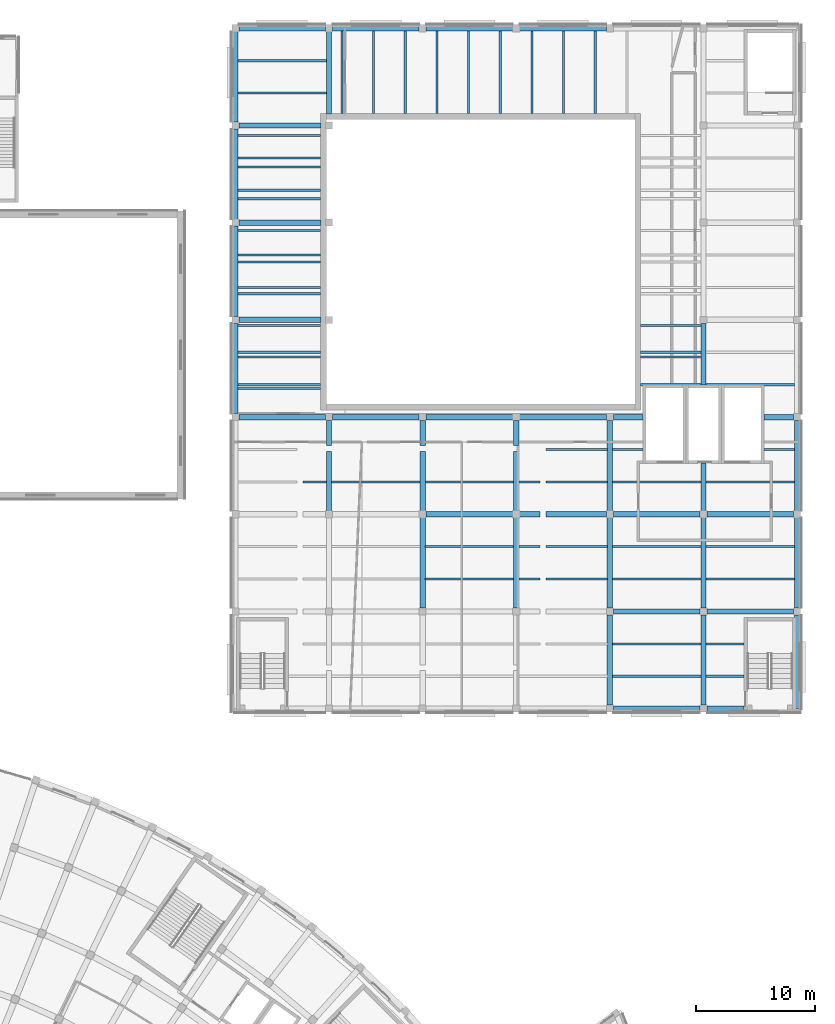
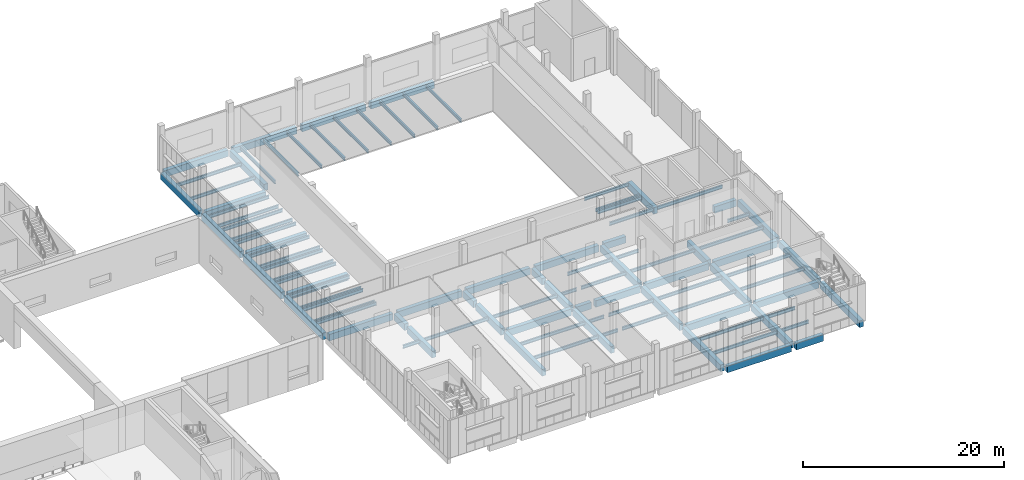
# One storey, part 21 of 87: 100 beams.
"""IFC4 building model written with IfcOpenShell, lengths in metres."""

import ifcopenshell
import ifcopenshell.guid

model = None  # the IFC model being written
_history = None  # IfcOwnerHistory: only IFC2X3 demands one
_inside = {}  # id of a spatial element -> (the spatial element, [elements in it])
_under = {}  # id of a project, library or spatial element -> (it, [spatial elements below it])
_declared = {}  # id of a project -> (the project, [libraries it declares])
_typed = {}  # id of a type object -> (the type object, [elements of that type])
_made_of = {}  # id of a material, layer set ... -> (it, [elements and type objects made of it])


def new_model(schema):
    """Start an empty IFC model of exactly this schema.

    Asked for "IFC4X3", IfcOpenShell would pick the latest addendum, in which some entities
    have other attributes; the version numbers below select the first issue.
    IFC2X3 requires an IfcOwnerHistory on every rooted entity: one is made here for all.
    """
    global model, _history
    if schema == "IFC4X3":
        model = ifcopenshell.file(schema_version=(4, 3, 0, 0))
    else:
        model = ifcopenshell.file(schema=schema)
    _inside.clear()
    _under.clear()
    _declared.clear()
    _typed.clear()
    _made_of.clear()
    _history = None
    if model.schema == "IFC2X3":
        org = make("IfcOrganization", Name="unknown")
        user = make(
            "IfcPersonAndOrganization",
            ThePerson=make("IfcPerson", FamilyName="unknown"),
            TheOrganization=org,
        )
        app = make(
            "IfcApplication",
            ApplicationDeveloper=org,
            Version="unknown",
            ApplicationFullName="unknown",
            ApplicationIdentifier="unknown",
        )
        _history = make(
            "IfcOwnerHistory",
            OwningUser=user,
            OwningApplication=app,
            ChangeAction="ADDED",
            CreationDate=0,
        )
    return model


def make(cls, **values):
    """One entity of the class cls with the attributes given. An attribute that is None is left unset."""
    return model.create_entity(
        cls, **{name: value for name, value in values.items() if value is not None}
    )


def rooted(cls, **values):
    """An entity with a GlobalId (a new one), such as an element, a storey or a relation."""
    return make(cls, GlobalId=ifcopenshell.guid.new(), OwnerHistory=_history, **values)


def si_unit(unit_type, name, prefix=None):
    """IfcSIUnit, for example si_unit("LENGTHUNIT", "METRE", prefix="MILLI")."""
    return make("IfcSIUnit", UnitType=unit_type, Prefix=prefix, Name=name)


def assignment(units):
    """IfcUnitAssignment: the units of a project."""
    return None if units is None else make("IfcUnitAssignment", Units=units)


def point(xyz):
    """IfcCartesianPoint."""
    return None if xyz is None else make("IfcCartesianPoint", Coordinates=xyz)


def direction(xyz):
    """IfcDirection."""
    return None if xyz is None else make("IfcDirection", DirectionRatios=xyz)


def frame(location, z_axis=None, x_axis=None):
    """IfcAxis2Placement3D, a coordinate frame: its origin and axes. An axis left out is left unset."""
    return make(
        "IfcAxis2Placement3D",
        Location=point(location),
        Axis=direction(z_axis),
        RefDirection=direction(x_axis),
    )


def frame_2d(location, x_axis=None):
    """IfcAxis2Placement2D, a coordinate frame in the plane: its origin and x axis."""
    return make(
        "IfcAxis2Placement2D", Location=point(location), RefDirection=direction(x_axis)
    )


def origin():
    """The frame at (0, 0, 0) with its axes left unset."""
    return frame((0.0, 0.0, 0.0))


def origin_2d():
    """The frame at (0, 0) in the plane with its x axis left unset."""
    return frame_2d((0.0, 0.0))


def place(relative_to, where):
    """IfcLocalPlacement: puts the frame where relative to a parent placement (None: the world)."""
    return make(
        "IfcLocalPlacement", PlacementRelTo=relative_to, RelativePlacement=where
    )


def context(
    kind, dimensions, precision=None, world=None, true_north=None, identifier=None
):
    """IfcGeometricRepresentationContext, for example the 3D "Model" context."""
    return make(
        "IfcGeometricRepresentationContext",
        ContextIdentifier=identifier,
        ContextType=kind,
        CoordinateSpaceDimension=dimensions,
        Precision=precision,
        WorldCoordinateSystem=world,
        TrueNorth=true_north,
    )


def subcontext(parent, identifier, kind, view, scale=None):
    """IfcGeometricRepresentationSubContext, for example "Body" below "Model"."""
    return make(
        "IfcGeometricRepresentationSubContext",
        ContextIdentifier=identifier,
        ContextType=kind,
        ParentContext=parent,
        TargetScale=scale,
        TargetView=view,
    )


def project(units=None, contexts=None):
    """IfcProject with its units and contexts."""
    return rooted(
        "IfcProject",
        Name="project",
        RepresentationContexts=contexts,
        UnitsInContext=assignment(units),
    )


def spatial(cls, under=None, at=None, **own):
    """A site, building, storey or space (cls), placed at a placement, below another one or the project."""
    s = rooted(cls, ObjectPlacement=at, **own)
    if under is not None:
        _under.setdefault(under.id(), (under, []))[1].append(s)
    return s


def profile(cls, at=None, kind="AREA", **sizes):
    """A parametric profile (cls). Its sizes go by their IFC names, for example OverallWidth=200.0."""
    return make(cls, ProfileType=kind, Position=at, **sizes)


def rectangle(**sizes):
    """IfcRectangleProfileDef."""
    return profile("IfcRectangleProfileDef", **sizes)


def i_section(**sizes):
    """IfcIShapeProfileDef."""
    return profile("IfcIShapeProfileDef", **sizes)


def extrude(swept, where, along, depth):
    """IfcExtrudedAreaSolid: the profile swept, set in the frame where, extruded along a direction by depth."""
    return make(
        "IfcExtrudedAreaSolid",
        SweptArea=swept,
        Position=where,
        ExtrudedDirection=direction(along),
        Depth=depth,
    )


def shape(context_of_items, identifier, shape_type, items):
    """IfcShapeRepresentation: the items that make up one representation, for example the "Body"."""
    return make(
        "IfcShapeRepresentation",
        ContextOfItems=context_of_items,
        RepresentationIdentifier=identifier,
        RepresentationType=shape_type,
        Items=items,
    )


def material(Name=None, Category=None):
    """IfcMaterial."""
    return make("IfcMaterial", Name=Name, Category=Category)


def material_profile(
    of_material, cross_section, Name=None, Category=None, Priority=None
):
    """IfcMaterialProfile: a cross section and its material."""
    return make(
        "IfcMaterialProfile",
        Name=Name,
        Material=of_material,
        Profile=cross_section,
        Priority=Priority,
        Category=Category,
    )


def profile_set(profiles, Name=None, composite=None):
    """IfcMaterialProfileSet."""
    return make(
        "IfcMaterialProfileSet",
        Name=Name,
        MaterialProfiles=profiles,
        CompositeProfile=composite,
    )


def made_of(thing, what):
    """Note that an element or type object is made of a material, layer set ...; save() writes the relation."""
    if what is not None:
        _made_of.setdefault(what.id(), (what, []))[1].append(thing)
    return thing


def type_object(cls, material=None, **own):
    """A type object (cls), such as IfcWallType, which elements share."""
    return made_of(rooted(cls, **own), material)


def element(
    cls,
    number,
    at=None,
    inside=None,
    cuts=None,
    type_object=None,
    material=None,
    context=None,
    identifier="Body",
    shape_type=None,
    held_by="IfcProductDefinitionShape",
    body=None,
    shapes=None,
    **own,
):
    """One element of the class cls, such as IfcWall. Its Tag is "e" and its number.

    at: its placement. inside: the storey or other place that contains it. cuts: it is an
    opening in that element (IfcRelVoidsElement). A single representation is given by context,
    identifier, shape_type and body (its items); several are given by shapes. held_by: the class
    of the entity that holds the representations. save() writes the other relations.
    """
    e = rooted(cls, Tag="e%d" % number, ObjectPlacement=at, **own)
    if body is not None:
        shapes = [shape(context, identifier, shape_type, body)]
    if shapes is not None:
        e.Representation = make(held_by, Representations=shapes)
    if inside is not None:
        _inside.setdefault(inside.id(), (inside, []))[1].append(e)
    if cuts is not None:
        rooted(
            "IfcRelVoidsElement", RelatingBuildingElement=cuts, RelatedOpeningElement=e
        )
    if type_object is not None:
        _typed.setdefault(type_object.id(), (type_object, []))[1].append(e)
    return made_of(e, material)


def aggregate(whole, parts):
    """IfcRelAggregates: a whole, such as a stair, and the parts it consists of."""
    return rooted("IfcRelAggregates", RelatingObject=whole, RelatedObjects=parts)


def save(model, path):
    """Write the relations noted so far, then the file.

    IfcRelAggregates (storeys below a building ...), IfcRelContainedInSpatialStructure (elements
    in a storey), IfcRelDefinesByType, IfcRelAssociatesMaterial and IfcRelDeclares: one each for
    every whole, place, type object, material and project.
    """
    for whole, parts in _under.values():
        aggregate(whole, parts)
    for where, things in _inside.values():
        rooted(
            "IfcRelContainedInSpatialStructure",
            RelatedElements=things,
            RelatingStructure=where,
        )
    for kind, things in _typed.values():
        rooted("IfcRelDefinesByType", RelatedObjects=things, RelatingType=kind)
    for what, things in _made_of.values():
        rooted("IfcRelAssociatesMaterial", RelatedObjects=things, RelatingMaterial=what)
    for by, libraries in _declared.values():
        rooted("IfcRelDeclares", RelatingContext=by, RelatedDefinitions=libraries)
    model.write(path)


model = new_model("IFC4")

# Units and contexts
model_context = context("Model", 3, precision=1e-05, world=origin(), true_north=direction((0.0, 1.0)))
body_context = subcontext(model_context, "Body", "Model", "MODEL_VIEW")
ifc_project = project(units=[si_unit("LENGTHUNIT", "METRE"), si_unit("AREAUNIT", "SQUARE_METRE"), si_unit("VOLUMEUNIT", "CUBIC_METRE"), si_unit("PLANEANGLEUNIT", "RADIAN"), si_unit("MASSUNIT", "GRAM", prefix="KILO")], contexts=[model_context])

# Site, building, storey
site_placement = place(None, origin())
site = spatial("IfcSite", under=ifc_project, at=site_placement, CompositionType="ELEMENT")
building_placement = place(site_placement, origin())
building = spatial("IfcBuilding", under=site, at=building_placement, Name="Lunette Opera House", CompositionType="ELEMENT")
storey_placement = place(building_placement, frame((0.0, 0.0, 11.5)))
storey = spatial("IfcBuildingStorey", under=building, at=storey_placement, Name="L02", CompositionType="ELEMENT", Elevation=11.5)

# Beams
ifc_material_1 = material(Name="Concrete C35/45", Category="concrete")
ifc_material_profile_1 = material_profile(ifc_material_1, rectangle(XDim=0.449951171875, YDim=0.800048828125, at=origin_2d()), Name="RC BEAM 450X800")
ifc_profile_set_1 = profile_set([ifc_material_profile_1], Name="Concrete C35/45")
beam_type_1 = type_object("IfcBeamType", Name="RC BEAM 450X800", PredefinedType="BEAM", material=ifc_profile_set_1)
for number, where, z_axis, x_axis, name in (
    (1, (136.300048828125, 103.18994140625, -0.550048828125), (0.0, 1.0, 0.0), (-1.0, 0.0, 0.0), "beam-WW-L02-L02-GY03"),
    (2, (136.300048828125, 111.389892578125, -0.550048828125), (0.0, 1.0, 0.0), (-1.0, 0.0, 0.0), "beam-WW-L02-L02-GY04"),
):
    element("IfcBeam", number, at=place(storey_placement, frame(where, z_axis=z_axis, x_axis=x_axis)), inside=storey, type_object=beam_type_1, Name=name, PredefinedType="BEAM", context=body_context, shape_type="SweptSolid", body=[
        extrude(rectangle(XDim=0.449951171875, YDim=0.800048828125, at=origin_2d()), origin(), (0.0, 0.0, 1.0), 7.6201171875),
    ])
for number, where, z_axis, x_axis, name in (
    (3, (136.300048828125, 119.590087890625, -0.550048828125), (0.0, 1.0, 0.0), (-1.0, 0.0, 0.0), "beam-WW-L02-L02-GY05"),
    (4, (136.300048828125, 127.7900390625, -0.550048828125), (0.0, 1.0, 0.0), (-1.0, 0.0, 0.0), "beam-WW-L02-L02-GY06"),
):
    element("IfcBeam", number, at=place(storey_placement, frame(where, z_axis=z_axis, x_axis=x_axis)), inside=storey, type_object=beam_type_1, Name=name, PredefinedType="BEAM", context=body_context, shape_type="SweptSolid", body=[
        extrude(rectangle(XDim=0.449951171875, YDim=0.800048828125, at=origin_2d()), origin(), (0.0, 0.0, 1.0), 7.619873046875),
    ])
beam_1_placement = place(storey_placement, frame((144.199951171875, 94.989990234375, -0.550048828125), z_axis=(0.0, 1.0, 0.0), x_axis=(-1.0, 0.0, 0.0)))
element("IfcBeam", 5, at=beam_1_placement, inside=storey, type_object=beam_type_1, Name="beam-WW-L02-L02-GY12", PredefinedType="BEAM", context=body_context, shape_type="SweptSolid", body=[
    extrude(rectangle(XDim=0.449951171875, YDim=0.800048828125, at=origin_2d()), origin(), (0.0, 0.0, 1.0), 5.02001953125),
])
beam_2_placement = place(storey_placement, frame((144.199951171875, 100.489990234375, -0.550048828125), z_axis=(0.0, 1.0, 0.0), x_axis=(-1.0, 0.0, 0.0)))
element("IfcBeam", 6, at=beam_2_placement, inside=storey, type_object=beam_type_1, Name="beam-WW-L02-L02-GY12-1", PredefinedType="BEAM", context=body_context, shape_type="SweptSolid", body=[
    extrude(rectangle(XDim=0.449951171875, YDim=0.800048828125, at=origin_2d()), origin(), (0.0, 0.0, 1.0), 2.1201171875),
])
beam_3_placement = place(storey_placement, frame((144.199951171875, 128.489990234375, -0.550048828125), z_axis=(0.0, 1.0, 0.0), x_axis=(-1.0, 0.0, 0.0)))
element("IfcBeam", 7, at=beam_3_placement, inside=storey, type_object=beam_type_1, Name="beam-WW-L02-L02-GY16", PredefinedType="BEAM", context=body_context, shape_type="SweptSolid", body=[
    extrude(rectangle(XDim=0.449951171875, YDim=0.800048828125, at=origin_2d()), origin(), (0.0, 0.0, 1.0), 6.919921875),
])
beam_4_placement = place(storey_placement, frame((152.10009765625, 86.7900390625, -0.550048828125), z_axis=(0.0, 1.0, 0.0), x_axis=(-1.0, 0.0, 0.0)))
element("IfcBeam", 8, at=beam_4_placement, inside=storey, type_object=beam_type_1, Name="beam-WW-L02-L02-GY21", PredefinedType="BEAM", context=body_context, shape_type="SweptSolid", body=[
    extrude(rectangle(XDim=0.449951171875, YDim=0.800048828125, at=origin_2d()), origin(), (0.0, 0.0, 1.0), 7.619873046875),
])
beam_5_placement = place(storey_placement, frame((152.10009765625, 94.989990234375, -0.550048828125), z_axis=(0.0, 1.0, 0.0), x_axis=(-1.0, 0.0, 0.0)))
element("IfcBeam", 9, at=beam_5_placement, inside=storey, type_object=beam_type_1, Name="beam-WW-L02-L02-GY22", PredefinedType="BEAM", context=body_context, shape_type="SweptSolid", body=[
    extrude(rectangle(XDim=0.449951171875, YDim=0.800048828125, at=origin_2d()), origin(), (0.0, 0.0, 1.0), 5.02001953125),
])
beam_6_placement = place(storey_placement, frame((152.10009765625, 100.489990234375, -0.550048828125), z_axis=(0.0, 1.0, 0.0), x_axis=(-1.0, 0.0, 0.0)))
element("IfcBeam", 10, at=beam_6_placement, inside=storey, type_object=beam_type_1, Name="beam-WW-L02-L02-GY22-1", PredefinedType="BEAM", context=body_context, shape_type="SweptSolid", body=[
    extrude(rectangle(XDim=0.449951171875, YDim=0.800048828125, at=origin_2d()), origin(), (0.0, 0.0, 1.0), 2.1201171875),
])
beam_7_placement = place(storey_placement, frame((160.0, 86.7900390625, -0.550048828125), z_axis=(0.0, 1.0, 0.0), x_axis=(-1.0, 0.0, 0.0)))
element("IfcBeam", 11, at=beam_7_placement, inside=storey, type_object=beam_type_1, Name="beam-WW-L02-L02-GY31", PredefinedType="BEAM", context=body_context, shape_type="SweptSolid", body=[
    extrude(rectangle(XDim=0.449951171875, YDim=0.800048828125, at=origin_2d()), origin(), (0.0, 0.0, 1.0), 7.619873046875),
])
beam_8_placement = place(storey_placement, frame((160.0, 94.989990234375, -0.550048828125), z_axis=(0.0, 1.0, 0.0), x_axis=(-1.0, 0.0, 0.0)))
element("IfcBeam", 12, at=beam_8_placement, inside=storey, type_object=beam_type_1, Name="beam-WW-L02-L02-GY32", PredefinedType="BEAM", context=body_context, shape_type="SweptSolid", body=[
    extrude(rectangle(XDim=0.449951171875, YDim=0.800048828125, at=origin_2d()), origin(), (0.0, 0.0, 1.0), 5.02001953125),
])
beam_9_placement = place(storey_placement, frame((160.0, 100.489990234375, -0.550048828125), z_axis=(0.0, 1.0, 0.0), x_axis=(-1.0, 0.0, 0.0)))
element("IfcBeam", 13, at=beam_9_placement, inside=storey, type_object=beam_type_1, Name="beam-WW-L02-L02-GY32-1", PredefinedType="BEAM", context=body_context, shape_type="SweptSolid", body=[
    extrude(rectangle(XDim=0.449951171875, YDim=0.800048828125, at=origin_2d()), origin(), (0.0, 0.0, 1.0), 2.1201171875),
])
for number, where, z_axis, x_axis, name in (
    (14, (167.89990234375, 78.590087890625, -0.550048828125), (0.0, 1.0, 0.0), (-1.0, 0.0, 0.0), "beam-WW-L02-L02-GY40"),
    (15, (167.89990234375, 86.7900390625, -0.550048828125), (0.0, 1.0, 0.0), (-1.0, 0.0, 0.0), "beam-WW-L02-L02-GY41"),
):
    element("IfcBeam", number, at=place(storey_placement, frame(where, z_axis=z_axis, x_axis=x_axis)), inside=storey, type_object=beam_type_1, Name=name, PredefinedType="BEAM", context=body_context, shape_type="SweptSolid", body=[
        extrude(rectangle(XDim=0.449951171875, YDim=0.800048828125, at=origin_2d()), origin(), (0.0, 0.0, 1.0), 7.619873046875),
    ])
beam_10_placement = place(storey_placement, frame((167.89990234375, 94.989990234375, -0.550048828125), z_axis=(0.0, 1.0, 0.0), x_axis=(-1.0, 0.0, 0.0)))
element("IfcBeam", 16, at=beam_10_placement, inside=storey, type_object=beam_type_1, Name="beam-WW-L02-L02-GY42", PredefinedType="BEAM", context=body_context, shape_type="SweptSolid", body=[
    extrude(rectangle(XDim=0.449951171875, YDim=0.800048828125, at=origin_2d()), origin(), (0.0, 0.0, 1.0), 7.6201171875),
])
for number, where, z_axis, x_axis, name in (
    (17, (175.800048828125, 78.590087890625, -0.550048828125), (0.0, 1.0, 0.0), (-1.0, 0.0, 0.0), "beam-WW-L02-L02-GY50"),
    (18, (175.800048828125, 86.7900390625, -0.550048828125), (0.0, 1.0, 0.0), (-1.0, 0.0, 0.0), "beam-WW-L02-L02-GY51"),
):
    element("IfcBeam", number, at=place(storey_placement, frame(where, z_axis=z_axis, x_axis=x_axis)), inside=storey, type_object=beam_type_1, Name=name, PredefinedType="BEAM", context=body_context, shape_type="SweptSolid", body=[
        extrude(rectangle(XDim=0.449951171875, YDim=0.800048828125, at=origin_2d()), origin(), (0.0, 0.0, 1.0), 7.619873046875),
    ])
beam_11_placement = place(storey_placement, frame((175.800048828125, 94.989990234375, -0.550048828125), z_axis=(0.0, 1.0, 0.0), x_axis=(-1.0, 0.0, 0.0)))
element("IfcBeam", 19, at=beam_11_placement, inside=storey, type_object=beam_type_1, Name="beam-WW-L02-L02-GY52", PredefinedType="BEAM", context=body_context, shape_type="SweptSolid", body=[
    extrude(rectangle(XDim=0.449951171875, YDim=0.800048828125, at=origin_2d()), origin(), (0.0, 0.0, 1.0), 4.02001953125),
])
beam_12_placement = place(storey_placement, frame((175.800048828125, 105.590087890625, -0.550048828125), z_axis=(0.0, 1.0, 0.0), x_axis=(-1.0, 0.0, 0.0)))
element("IfcBeam", 20, at=beam_12_placement, inside=storey, type_object=beam_type_1, Name="beam-WW-L02-L02-GY53", PredefinedType="BEAM", context=body_context, shape_type="SweptSolid", body=[
    extrude(rectangle(XDim=0.449951171875, YDim=0.800048828125, at=origin_2d()), origin(), (0.0, 0.0, 1.0), 5.219970703125),
])
beam_13_placement = place(storey_placement, frame((183.699951171875, 78.300048828125, -0.550048828125), z_axis=(0.0, 1.0, 0.0), x_axis=(-1.0, 0.0, 0.0)))
element("IfcBeam", 21, at=beam_13_placement, inside=storey, type_object=beam_type_1, Name="beam-WW-L02-L02-GY60", PredefinedType="BEAM", context=body_context, shape_type="SweptSolid", body=[
    extrude(rectangle(XDim=0.449951171875, YDim=0.800048828125, at=origin_2d()), origin(), (0.0, 0.0, 1.0), 7.909912109375),
])
beam_14_placement = place(storey_placement, frame((183.699951171875, 86.7900390625, -0.550048828125), z_axis=(0.0, 1.0, 0.0), x_axis=(-1.0, 0.0, 0.0)))
element("IfcBeam", 22, at=beam_14_placement, inside=storey, type_object=beam_type_1, Name="beam-WW-L02-L02-GY61", PredefinedType="BEAM", context=body_context, shape_type="SweptSolid", body=[
    extrude(rectangle(XDim=0.449951171875, YDim=0.800048828125, at=origin_2d()), origin(), (0.0, 0.0, 1.0), 7.619873046875),
])
beam_15_placement = place(storey_placement, frame((183.699951171875, 94.989990234375, -0.550048828125), z_axis=(0.0, 1.0, 0.0), x_axis=(-1.0, 0.0, 0.0)))
element("IfcBeam", 23, at=beam_15_placement, inside=storey, type_object=beam_type_1, Name="beam-WW-L02-L02-GY62", PredefinedType="BEAM", context=body_context, shape_type="SweptSolid", body=[
    extrude(rectangle(XDim=0.449951171875, YDim=0.800048828125, at=origin_2d()), origin(), (0.0, 0.0, 1.0), 7.6201171875),
])
beam_16_placement = place(storey_placement, frame((168.18994140625, 78.300048828125, -0.550048828125), z_axis=(1.0, 0.0, 0.0), x_axis=(0.0, 1.0, 0.0)))
element("IfcBeam", 24, at=beam_16_placement, inside=storey, type_object=beam_type_1, Name="beam-WW-L02-L02-GX40", PredefinedType="BEAM", context=body_context, shape_type="SweptSolid", body=[
    extrude(rectangle(XDim=0.449951171875, YDim=0.800048828125, at=origin_2d()), origin(), (0.0, 0.0, 1.0), 7.320068359375),
])
beam_17_placement = place(storey_placement, frame((176.090087890625, 78.300048828125, -0.550048828125), z_axis=(1.0, 0.0, 0.0), x_axis=(0.0, 1.0, 0.0)))
element("IfcBeam", 25, at=beam_17_placement, inside=storey, type_object=beam_type_1, Name="beam-WW-L02-L02-GX50", PredefinedType="BEAM", context=body_context, shape_type="SweptSolid", body=[
    extrude(rectangle(XDim=0.449951171875, YDim=0.800048828125, at=origin_2d()), origin(), (0.0, 0.0, 1.0), 3.119873046875),
])
beam_18_placement = place(storey_placement, frame((168.18994140625, 86.5, -0.550048828125), z_axis=(1.0, 0.0, 0.0), x_axis=(0.0, 1.0, 0.0)))
element("IfcBeam", 26, at=beam_18_placement, inside=storey, type_object=beam_type_1, Name="beam-WW-L02-L02-GX41", PredefinedType="BEAM", context=body_context, shape_type="SweptSolid", body=[
    extrude(rectangle(XDim=0.449951171875, YDim=0.800048828125, at=origin_2d()), origin(), (0.0, 0.0, 1.0), 7.320068359375),
])
beam_19_placement = place(storey_placement, frame((176.090087890625, 86.5, -0.550048828125), z_axis=(1.0, 0.0, 0.0), x_axis=(0.0, 1.0, 0.0)))
element("IfcBeam", 27, at=beam_19_placement, inside=storey, type_object=beam_type_1, Name="beam-WW-L02-L02-GX51", PredefinedType="BEAM", context=body_context, shape_type="SweptSolid", body=[
    extrude(rectangle(XDim=0.449951171875, YDim=0.800048828125, at=origin_2d()), origin(), (0.0, 0.0, 1.0), 7.31982421875),
])
beam_20_placement = place(storey_placement, frame((152.389892578125, 94.699951171875, -0.550048828125), z_axis=(1.0, 0.0, 0.0), x_axis=(0.0, 1.0, 0.0)))
element("IfcBeam", 28, at=beam_20_placement, inside=storey, type_object=beam_type_1, Name="beam-WW-L02-L02-GX22", PredefinedType="BEAM", context=body_context, shape_type="SweptSolid", body=[
    extrude(rectangle(XDim=0.449951171875, YDim=0.800048828125, at=origin_2d()), origin(), (0.0, 0.0, 1.0), 7.320068359375),
])
beam_21_placement = place(storey_placement, frame((160.2900390625, 94.699951171875, -0.550048828125), z_axis=(1.0, 0.0, 0.0), x_axis=(0.0, 1.0, 0.0)))
element("IfcBeam", 29, at=beam_21_placement, inside=storey, type_object=beam_type_1, Name="beam-WW-L02-L02-GX32", PredefinedType="BEAM", context=body_context, shape_type="SweptSolid", body=[
    extrude(rectangle(XDim=0.449951171875, YDim=0.800048828125, at=origin_2d()), origin(), (0.0, 0.0, 1.0), 1.719970703125),
])
beam_22_placement = place(storey_placement, frame((162.489990234375, 94.699951171875, -0.550048828125), z_axis=(1.0, 0.0, 0.0), x_axis=(0.0, 1.0, 0.0)))
element("IfcBeam", 30, at=beam_22_placement, inside=storey, type_object=beam_type_1, Name="beam-WW-L02-L02-GX32-1", PredefinedType="BEAM", context=body_context, shape_type="SweptSolid", body=[
    extrude(rectangle(XDim=0.449951171875, YDim=0.800048828125, at=origin_2d()), origin(), (0.0, 0.0, 1.0), 5.1201171875),
])
beam_23_placement = place(storey_placement, frame((168.18994140625, 94.699951171875, -0.550048828125), z_axis=(1.0, 0.0, 0.0), x_axis=(0.0, 1.0, 0.0)))
element("IfcBeam", 31, at=beam_23_placement, inside=storey, type_object=beam_type_1, Name="beam-WW-L02-L02-GX42", PredefinedType="BEAM", context=body_context, shape_type="SweptSolid", body=[
    extrude(rectangle(XDim=0.449951171875, YDim=0.800048828125, at=origin_2d()), origin(), (0.0, 0.0, 1.0), 7.320068359375),
])
for number, where, z_axis, x_axis, name in (
    (32, (176.090087890625, 94.699951171875, -0.550048828125), (1.0, 0.0, 0.0), (0.0, 1.0, 0.0), "beam-WW-L02-L02-GX52"),
    (33, (136.590087890625, 102.89990234375, -0.550048828125), (1.0, 0.0, 0.0), (0.0, 1.0, 0.0), "beam-WW-L02-L02-GX03"),
):
    element("IfcBeam", number, at=place(storey_placement, frame(where, z_axis=z_axis, x_axis=x_axis)), inside=storey, type_object=beam_type_1, Name=name, PredefinedType="BEAM", context=body_context, shape_type="SweptSolid", body=[
        extrude(rectangle(XDim=0.449951171875, YDim=0.800048828125, at=origin_2d()), origin(), (0.0, 0.0, 1.0), 7.31982421875),
    ])
for number, where, z_axis, x_axis, name in (
    (34, (144.489990234375, 102.89990234375, -0.550048828125), (1.0, 0.0, 0.0), (0.0, 1.0, 0.0), "beam-WW-L02-L02-GX13"),
    (35, (152.389892578125, 102.89990234375, -0.550048828125), (1.0, 0.0, 0.0), (0.0, 1.0, 0.0), "beam-WW-L02-L02-GX23"),
    (36, (160.2900390625, 102.89990234375, -0.550048828125), (1.0, 0.0, 0.0), (0.0, 1.0, 0.0), "beam-WW-L02-L02-GX33"),
):
    element("IfcBeam", number, at=place(storey_placement, frame(where, z_axis=z_axis, x_axis=x_axis)), inside=storey, type_object=beam_type_1, Name=name, PredefinedType="BEAM", context=body_context, shape_type="SweptSolid", body=[
        extrude(rectangle(XDim=0.449951171875, YDim=0.800048828125, at=origin_2d()), origin(), (0.0, 0.0, 1.0), 7.320068359375),
    ])
for number, where, z_axis, x_axis, name in (
    (37, (168.18994140625, 102.89990234375, -0.550048828125), (1.0, 0.0, 0.0), (0.0, 1.0, 0.0), "beam-WW-L02-L02-GX43"),
    (38, (180.889892578125, 102.89990234375, -0.550048828125), (1.0, 0.0, 0.0), (0.0, 1.0, 0.0), "beam-WW-L02-L02-GX53"),
):
    element("IfcBeam", number, at=place(storey_placement, frame(where, z_axis=z_axis, x_axis=x_axis)), inside=storey, type_object=beam_type_1, Name=name, PredefinedType="BEAM", context=body_context, shape_type="SweptSolid", body=[
        extrude(rectangle(XDim=0.449951171875, YDim=0.800048828125, at=origin_2d()), origin(), (0.0, 0.0, 1.0), 2.52001953125),
    ])
for number, where, z_axis, x_axis, name in (
    (39, (136.590087890625, 111.10009765625, -0.550048828125), (1.0, 0.0, 0.0), (0.0, 1.0, 0.0), "beam-WW-L02-L02-GX04"),
    (40, (136.590087890625, 119.300048828125, -0.550048828125), (1.0, 0.0, 0.0), (0.0, 1.0, 0.0), "beam-WW-L02-L02-GX05"),
    (41, (136.590087890625, 127.5, -0.550048828125), (1.0, 0.0, 0.0), (0.0, 1.0, 0.0), "beam-WW-L02-L02-GX06"),
):
    element("IfcBeam", number, at=place(storey_placement, frame(where, z_axis=z_axis, x_axis=x_axis)), inside=storey, type_object=beam_type_1, Name=name, PredefinedType="BEAM", context=body_context, shape_type="SweptSolid", body=[
        extrude(rectangle(XDim=0.449951171875, YDim=0.800048828125, at=origin_2d()), origin(), (0.0, 0.0, 1.0), 6.919921875),
    ])
beam_24_placement = place(storey_placement, frame((136.590087890625, 135.699951171875, -0.550048828125), z_axis=(1.0, 0.0, 0.0), x_axis=(0.0, 1.0, 0.0)))
element("IfcBeam", 42, at=beam_24_placement, inside=storey, type_object=beam_type_1, Name="beam-WW-L02-L02-GX07", PredefinedType="BEAM", context=body_context, shape_type="SweptSolid", body=[
    extrude(rectangle(XDim=0.449951171875, YDim=0.800048828125, at=origin_2d()), origin(), (0.0, 0.0, 1.0), 7.31982421875),
])
for number, where, z_axis, x_axis, name in (
    (43, (144.489990234375, 135.699951171875, -0.550048828125), (1.0, 0.0, 0.0), (0.0, 1.0, 0.0), "beam-WW-L02-L02-GX17"),
    (44, (152.389892578125, 135.699951171875, -0.550048828125), (1.0, 0.0, 0.0), (0.0, 1.0, 0.0), "beam-WW-L02-L02-GX27"),
    (45, (160.2900390625, 135.699951171875, -0.550048828125), (1.0, 0.0, 0.0), (0.0, 1.0, 0.0), "beam-WW-L02-L02-GX37"),
):
    element("IfcBeam", number, at=place(storey_placement, frame(where, z_axis=z_axis, x_axis=x_axis)), inside=storey, type_object=beam_type_1, Name=name, PredefinedType="BEAM", context=body_context, shape_type="SweptSolid", body=[
        extrude(rectangle(XDim=0.449951171875, YDim=0.800048828125, at=origin_2d()), origin(), (0.0, 0.0, 1.0), 7.320068359375),
    ])
ifc_material_2 = material(Name="Steel S355", Category="steel")
ifc_material_profile_2 = material_profile(ifc_material_2, i_section(OverallWidth=0.179931640625, OverallDepth=0.39990234375, WebThickness=0.008544921875, FlangeThickness=0.013427734375, FilletRadius=0.02099609375, at=origin_2d()), Name="IPE 400")
ifc_profile_set_2 = profile_set([ifc_material_profile_2], Name="Steel S355")
beam_type_2 = type_object("IfcBeamType", Name="STEEL BEAM IPE 400", PredefinedType="BEAM", material=ifc_profile_set_2)
beam_25_placement = place(storey_placement, frame((142.0, 97.43310546875, -0.35009765625), z_axis=(1.0, 0.0, 0.0), x_axis=(0.0, 1.0, 0.0)))
element("IfcBeam", 46, at=beam_25_placement, inside=storey, type_object=beam_type_2, Name="beam-WW-L02-L02-SX021-01", PredefinedType="BEAM", context=body_context, shape_type="SweptSolid", body=[
    extrude(i_section(OverallWidth=0.179931640625, OverallDepth=0.39990234375, WebThickness=0.008544921875, FlangeThickness=0.013427734375, FilletRadius=0.02099609375, at=origin_2d()), origin(), (0.0, 0.0, 1.0), 1.985107421875),
])
for number, where, z_axis, x_axis, name in (
    (47, (136.514892578125, 105.633056640625, -0.35009765625), (1.0, 0.0, 0.0), (0.0, 1.0, 0.0), "beam-WW-L02-L02-SX031"),
    (48, (136.514892578125, 108.366943359375, -0.35009765625), (1.0, 0.0, 0.0), (0.0, 1.0, 0.0), "beam-WW-L02-L02-SX032"),
    (49, (136.514892578125, 113.8330078125, -0.35009765625), (1.0, 0.0, 0.0), (0.0, 1.0, 0.0), "beam-WW-L02-L02-SX041"),
    (50, (136.514892578125, 116.56689453125, -0.35009765625), (1.0, 0.0, 0.0), (0.0, 1.0, 0.0), "beam-WW-L02-L02-SX042"),
    (51, (136.514892578125, 122.032958984375, -0.35009765625), (1.0, 0.0, 0.0), (0.0, 1.0, 0.0), "beam-WW-L02-L02-SX051"),
    (52, (136.514892578125, 124.76708984375, -0.35009765625), (1.0, 0.0, 0.0), (0.0, 1.0, 0.0), "beam-WW-L02-L02-SX052"),
):
    element("IfcBeam", number, at=place(storey_placement, frame(where, z_axis=z_axis, x_axis=x_axis)), inside=storey, type_object=beam_type_2, Name=name, PredefinedType="BEAM", context=body_context, shape_type="SweptSolid", body=[
        extrude(i_section(OverallWidth=0.179931640625, OverallDepth=0.39990234375, WebThickness=0.008544921875, FlangeThickness=0.013427734375, FilletRadius=0.02099609375, at=origin_2d()), origin(), (0.0, 0.0, 1.0), 6.985107421875),
    ])
for number, where, z_axis, x_axis, name in (
    (53, (136.514892578125, 130.23291015625, -0.35009765625), (1.0, 0.0, 0.0), (0.0, 1.0, 0.0), "beam-WW-L02-L02-SX061"),
    (54, (136.514892578125, 132.967041015625, -0.35009765625), (1.0, 0.0, 0.0), (0.0, 1.0, 0.0), "beam-WW-L02-L02-SX062"),
):
    element("IfcBeam", number, at=place(storey_placement, frame(where, z_axis=z_axis, x_axis=x_axis)), inside=storey, type_object=beam_type_2, Name=name, PredefinedType="BEAM", context=body_context, shape_type="SweptSolid", body=[
        extrude(i_section(OverallWidth=0.179931640625, OverallDepth=0.39990234375, WebThickness=0.008544921875, FlangeThickness=0.013427734375, FilletRadius=0.02099609375, at=origin_2d()), origin(), (0.0, 0.0, 1.0), 7.47021484375),
    ])
for number, where, z_axis, x_axis, name in (
    (55, (144.4150390625, 97.43310546875, -0.35009765625), (1.0, 0.0, 0.0), (0.0, 1.0, 0.0), "beam-WW-L02-L02-SX121"),
    (56, (152.31494140625, 89.23291015625, -0.35009765625), (1.0, 0.0, 0.0), (0.0, 1.0, 0.0), "beam-WW-L02-L02-SX211"),
    (57, (152.31494140625, 91.967041015625, -0.35009765625), (1.0, 0.0, 0.0), (0.0, 1.0, 0.0), "beam-WW-L02-L02-SX212"),
    (58, (152.31494140625, 97.43310546875, -0.35009765625), (1.0, 0.0, 0.0), (0.0, 1.0, 0.0), "beam-WW-L02-L02-SX221"),
):
    element("IfcBeam", number, at=place(storey_placement, frame(where, z_axis=z_axis, x_axis=x_axis)), inside=storey, type_object=beam_type_2, Name=name, PredefinedType="BEAM", context=body_context, shape_type="SweptSolid", body=[
        extrude(i_section(OverallWidth=0.179931640625, OverallDepth=0.39990234375, WebThickness=0.008544921875, FlangeThickness=0.013427734375, FilletRadius=0.02099609375, at=origin_2d()), origin(), (0.0, 0.0, 1.0), 7.469970703125),
    ])
beam_26_placement = place(storey_placement, frame((160.215087890625, 89.23291015625, -0.35009765625), z_axis=(1.0, 0.0, 0.0), x_axis=(0.0, 1.0, 0.0)))
element("IfcBeam", 59, at=beam_26_placement, inside=storey, type_object=beam_type_2, Name="beam-WW-L02-L02-SX311", PredefinedType="BEAM", context=body_context, shape_type="SweptSolid", body=[
    extrude(i_section(OverallWidth=0.179931640625, OverallDepth=0.39990234375, WebThickness=0.008544921875, FlangeThickness=0.013427734375, FilletRadius=0.02099609375, at=origin_2d()), origin(), (0.0, 0.0, 1.0), 1.784912109375),
])
beam_27_placement = place(storey_placement, frame((162.5, 89.23291015625, -0.35009765625), z_axis=(1.0, 0.0, 0.0), x_axis=(0.0, 1.0, 0.0)))
element("IfcBeam", 60, at=beam_27_placement, inside=storey, type_object=beam_type_2, Name="beam-WW-L02-L02-SX311-01", PredefinedType="BEAM", context=body_context, shape_type="SweptSolid", body=[
    extrude(i_section(OverallWidth=0.179931640625, OverallDepth=0.39990234375, WebThickness=0.008544921875, FlangeThickness=0.013427734375, FilletRadius=0.02099609375, at=origin_2d()), origin(), (0.0, 0.0, 1.0), 5.18505859375),
])
beam_28_placement = place(storey_placement, frame((160.215087890625, 91.967041015625, -0.35009765625), z_axis=(1.0, 0.0, 0.0), x_axis=(0.0, 1.0, 0.0)))
element("IfcBeam", 61, at=beam_28_placement, inside=storey, type_object=beam_type_2, Name="beam-WW-L02-L02-SX312", PredefinedType="BEAM", context=body_context, shape_type="SweptSolid", body=[
    extrude(i_section(OverallWidth=0.179931640625, OverallDepth=0.39990234375, WebThickness=0.008544921875, FlangeThickness=0.013427734375, FilletRadius=0.02099609375, at=origin_2d()), origin(), (0.0, 0.0, 1.0), 1.784912109375),
])
beam_29_placement = place(storey_placement, frame((162.5, 91.967041015625, -0.35009765625), z_axis=(1.0, 0.0, 0.0), x_axis=(0.0, 1.0, 0.0)))
element("IfcBeam", 62, at=beam_29_placement, inside=storey, type_object=beam_type_2, Name="beam-WW-L02-L02-SX312-01", PredefinedType="BEAM", context=body_context, shape_type="SweptSolid", body=[
    extrude(i_section(OverallWidth=0.179931640625, OverallDepth=0.39990234375, WebThickness=0.008544921875, FlangeThickness=0.013427734375, FilletRadius=0.02099609375, at=origin_2d()), origin(), (0.0, 0.0, 1.0), 5.18505859375),
])
beam_30_placement = place(storey_placement, frame((160.215087890625, 97.43310546875, -0.35009765625), z_axis=(1.0, 0.0, 0.0), x_axis=(0.0, 1.0, 0.0)))
element("IfcBeam", 63, at=beam_30_placement, inside=storey, type_object=beam_type_2, Name="beam-WW-L02-L02-SX321", PredefinedType="BEAM", context=body_context, shape_type="SweptSolid", body=[
    extrude(i_section(OverallWidth=0.179931640625, OverallDepth=0.39990234375, WebThickness=0.008544921875, FlangeThickness=0.013427734375, FilletRadius=0.02099609375, at=origin_2d()), origin(), (0.0, 0.0, 1.0), 1.784912109375),
])
for number, where, z_axis, x_axis, name in (
    (64, (162.5, 97.43310546875, -0.35009765625), (1.0, 0.0, 0.0), (0.0, 1.0, 0.0), "beam-WW-L02-L02-SX321-01"),
    (65, (162.5, 100.1669921875, -0.35009765625), (1.0, 0.0, 0.0), (0.0, 1.0, 0.0), "beam-WW-L02-L02-SX322"),
):
    element("IfcBeam", number, at=place(storey_placement, frame(where, z_axis=z_axis, x_axis=x_axis)), inside=storey, type_object=beam_type_2, Name=name, PredefinedType="BEAM", context=body_context, shape_type="SweptSolid", body=[
        extrude(i_section(OverallWidth=0.179931640625, OverallDepth=0.39990234375, WebThickness=0.008544921875, FlangeThickness=0.013427734375, FilletRadius=0.02099609375, at=origin_2d()), origin(), (0.0, 0.0, 1.0), 5.18505859375),
    ])
for number, where, z_axis, x_axis, name in (
    (66, (168.114990234375, 81.032958984375, -0.35009765625), (1.0, 0.0, 0.0), (0.0, 1.0, 0.0), "beam-WW-L02-L02-SX401"),
    (67, (168.114990234375, 83.76708984375, -0.35009765625), (1.0, 0.0, 0.0), (0.0, 1.0, 0.0), "beam-WW-L02-L02-SX402"),
    (68, (168.114990234375, 89.23291015625, -0.35009765625), (1.0, 0.0, 0.0), (0.0, 1.0, 0.0), "beam-WW-L02-L02-SX411"),
    (69, (168.114990234375, 91.967041015625, -0.35009765625), (1.0, 0.0, 0.0), (0.0, 1.0, 0.0), "beam-WW-L02-L02-SX412"),
    (70, (168.114990234375, 97.43310546875, -0.35009765625), (1.0, 0.0, 0.0), (0.0, 1.0, 0.0), "beam-WW-L02-L02-SX421"),
):
    element("IfcBeam", number, at=place(storey_placement, frame(where, z_axis=z_axis, x_axis=x_axis)), inside=storey, type_object=beam_type_2, Name=name, PredefinedType="BEAM", context=body_context, shape_type="SweptSolid", body=[
        extrude(i_section(OverallWidth=0.179931640625, OverallDepth=0.39990234375, WebThickness=0.008544921875, FlangeThickness=0.013427734375, FilletRadius=0.02099609375, at=origin_2d()), origin(), (0.0, 0.0, 1.0), 7.469970703125),
    ])
beam_31_placement = place(storey_placement, frame((168.114990234375, 100.1669921875, -0.35009765625), z_axis=(1.0, 0.0, 0.0), x_axis=(0.0, 1.0, 0.0)))
element("IfcBeam", 71, at=beam_31_placement, inside=storey, type_object=beam_type_2, Name="beam-WW-L02-L02-SX422", PredefinedType="BEAM", context=body_context, shape_type="SweptSolid", body=[
    extrude(i_section(OverallWidth=0.179931640625, OverallDepth=0.39990234375, WebThickness=0.008544921875, FlangeThickness=0.013427734375, FilletRadius=0.02099609375, at=origin_2d()), origin(), (0.0, 0.0, 1.0), 2.5849609375),
])
for number, where, z_axis, x_axis, name in (
    (72, (170.5, 105.633056640625, -0.35009765625), (1.0, 0.0, 0.0), (0.0, 1.0, 0.0), "beam-WW-L02-L02-SX431-01"),
    (73, (170.5, 108.366943359375, -0.35009765625), (1.0, 0.0, 0.0), (0.0, 1.0, 0.0), "beam-WW-L02-L02-SX432-01"),
):
    element("IfcBeam", number, at=place(storey_placement, frame(where, z_axis=z_axis, x_axis=x_axis)), inside=storey, type_object=beam_type_2, Name=name, PredefinedType="BEAM", context=body_context, shape_type="SweptSolid", body=[
        extrude(i_section(OverallWidth=0.179931640625, OverallDepth=0.39990234375, WebThickness=0.008544921875, FlangeThickness=0.013427734375, FilletRadius=0.02099609375, at=origin_2d()), origin(), (0.0, 0.0, 1.0), 5.0849609375),
    ])
for number, where, z_axis, x_axis, name in (
    (74, (176.014892578125, 81.032958984375, -0.35009765625), (1.0, 0.0, 0.0), (0.0, 1.0, 0.0), "beam-WW-L02-L02-SX501"),
    (75, (176.014892578125, 83.76708984375, -0.35009765625), (1.0, 0.0, 0.0), (0.0, 1.0, 0.0), "beam-WW-L02-L02-SX502"),
):
    element("IfcBeam", number, at=place(storey_placement, frame(where, z_axis=z_axis, x_axis=x_axis)), inside=storey, type_object=beam_type_2, Name=name, PredefinedType="BEAM", context=body_context, shape_type="SweptSolid", body=[
        extrude(i_section(OverallWidth=0.179931640625, OverallDepth=0.39990234375, WebThickness=0.008544921875, FlangeThickness=0.013427734375, FilletRadius=0.02099609375, at=origin_2d()), origin(), (0.0, 0.0, 1.0), 3.18505859375),
    ])
for number, where, z_axis, x_axis, name in (
    (76, (176.014892578125, 89.23291015625, -0.35009765625), (1.0, 0.0, 0.0), (0.0, 1.0, 0.0), "beam-WW-L02-L02-SX511"),
    (77, (176.014892578125, 91.967041015625, -0.35009765625), (1.0, 0.0, 0.0), (0.0, 1.0, 0.0), "beam-WW-L02-L02-SX512"),
    (78, (176.014892578125, 97.43310546875, -0.35009765625), (1.0, 0.0, 0.0), (0.0, 1.0, 0.0), "beam-WW-L02-L02-SX521"),
):
    element("IfcBeam", number, at=place(storey_placement, frame(where, z_axis=z_axis, x_axis=x_axis)), inside=storey, type_object=beam_type_2, Name=name, PredefinedType="BEAM", context=body_context, shape_type="SweptSolid", body=[
        extrude(i_section(OverallWidth=0.179931640625, OverallDepth=0.39990234375, WebThickness=0.008544921875, FlangeThickness=0.013427734375, FilletRadius=0.02099609375, at=origin_2d()), origin(), (0.0, 0.0, 1.0), 7.47021484375),
    ])
beam_32_placement = place(storey_placement, frame((180.89990234375, 100.1669921875, -0.35009765625), z_axis=(1.0, 0.0, 0.0), x_axis=(0.0, 1.0, 0.0)))
element("IfcBeam", 79, at=beam_32_placement, inside=storey, type_object=beam_type_2, Name="beam-WW-L02-L02-SX522", PredefinedType="BEAM", context=body_context, shape_type="SweptSolid", body=[
    extrude(i_section(OverallWidth=0.179931640625, OverallDepth=0.39990234375, WebThickness=0.008544921875, FlangeThickness=0.013427734375, FilletRadius=0.02099609375, at=origin_2d()), origin(), (0.0, 0.0, 1.0), 2.585205078125),
])
beam_33_placement = place(storey_placement, frame((176.014892578125, 105.633056640625, -0.35009765625), z_axis=(1.0, 0.0, 0.0), x_axis=(0.0, 1.0, 0.0)))
element("IfcBeam", 80, at=beam_33_placement, inside=storey, type_object=beam_type_2, Name="beam-WW-L02-L02-SX531", PredefinedType="BEAM", context=body_context, shape_type="SweptSolid", body=[
    extrude(i_section(OverallWidth=0.179931640625, OverallDepth=0.39990234375, WebThickness=0.008544921875, FlangeThickness=0.013427734375, FilletRadius=0.02099609375, at=origin_2d()), origin(), (0.0, 0.0, 1.0), 7.47021484375),
])
for number, where, z_axis, x_axis, name in (
    (81, (145.300048828125, 128.5, -0.35009765625), (0.0, 1.0, 0.0), (-1.0, 0.0, 0.0), "beam-WW-L02-L02-RJN1441040"),
    (82, (147.969970703125, 128.5, -0.35009765625), (0.0, 1.0, 0.0), (-1.0, 0.0, 0.0), "beam-WW-L02-L02-RJN1441041"),
    (83, (150.639892578125, 128.5, -0.35009765625), (0.0, 1.0, 0.0), (-1.0, 0.0, 0.0), "beam-WW-L02-L02-RJN1441042"),
    (84, (153.31005859375, 128.5, -0.35009765625), (0.0, 1.0, 0.0), (-1.0, 0.0, 0.0), "beam-WW-L02-L02-RJN1441043"),
    (85, (155.97998046875, 128.5, -0.35009765625), (0.0, 1.0, 0.0), (-1.0, 0.0, 0.0), "beam-WW-L02-L02-RJN1441044"),
    (86, (158.64990234375, 128.5, -0.35009765625), (0.0, 1.0, 0.0), (-1.0, 0.0, 0.0), "beam-WW-L02-L02-RJN1441045"),
    (87, (161.320068359375, 128.5, -0.35009765625), (0.0, 1.0, 0.0), (-1.0, 0.0, 0.0), "beam-WW-L02-L02-RJN1441046"),
    (88, (163.989990234375, 128.5, -0.35009765625), (0.0, 1.0, 0.0), (-1.0, 0.0, 0.0), "beam-WW-L02-L02-RJN1441047"),
    (89, (166.659912109375, 128.5, -0.35009765625), (0.0, 1.0, 0.0), (-1.0, 0.0, 0.0), "beam-WW-L02-L02-RJN1441048"),
    (90, (143.5, 105.300048828125, -0.35009765625), (-1.0, 0.0, 0.0), (0.0, -1.0, 0.0), "beam-WW-L02-L02-RJW1441040"),
    (91, (143.5, 107.969970703125, -0.35009765625), (-1.0, 0.0, 0.0), (0.0, -1.0, 0.0), "beam-WW-L02-L02-RJW1441041"),
    (92, (143.5, 110.639892578125, -0.35009765625), (-1.0, 0.0, 0.0), (0.0, -1.0, 0.0), "beam-WW-L02-L02-RJW1441042"),
    (93, (143.5, 113.31005859375, -0.35009765625), (-1.0, 0.0, 0.0), (0.0, -1.0, 0.0), "beam-WW-L02-L02-RJW1441043"),
    (94, (143.5, 115.97998046875, -0.35009765625), (-1.0, 0.0, 0.0), (0.0, -1.0, 0.0), "beam-WW-L02-L02-RJW1441044"),
    (95, (143.5, 118.64990234375, -0.35009765625), (-1.0, 0.0, 0.0), (0.0, -1.0, 0.0), "beam-WW-L02-L02-RJW1441045"),
    (96, (143.5, 121.320068359375, -0.35009765625), (-1.0, 0.0, 0.0), (0.0, -1.0, 0.0), "beam-WW-L02-L02-RJW1441046"),
    (97, (143.5, 123.989990234375, -0.35009765625), (-1.0, 0.0, 0.0), (0.0, -1.0, 0.0), "beam-WW-L02-L02-RJW1441047"),
    (98, (143.5, 126.659912109375, -0.35009765625), (-1.0, 0.0, 0.0), (0.0, -1.0, 0.0), "beam-WW-L02-L02-RJW1441048"),
):
    element("IfcBeam", number, at=place(storey_placement, frame(where, z_axis=z_axis, x_axis=x_axis)), inside=storey, type_object=beam_type_2, Name=name, PredefinedType="BEAM", context=body_context, shape_type="SweptSolid", body=[
        extrude(i_section(OverallWidth=0.179931640625, OverallDepth=0.39990234375, WebThickness=0.008544921875, FlangeThickness=0.013427734375, FilletRadius=0.02099609375, at=origin_2d()), origin(), (0.0, 0.0, 1.0), 6.965087890625),
    ])
for number, where, z_axis, x_axis, name in (
    (99, (170.5, 107.969970703125, -0.35009765625), (1.0, 0.0, 0.0), (0.0, 1.0, 0.0), "beam-WW-L02-L02-RJE1441041"),
    (100, (170.5, 110.639892578125, -0.35009765625), (1.0, 0.0, 0.0), (0.0, 1.0, 0.0), "beam-WW-L02-L02-RJE1441042"),
):
    element("IfcBeam", number, at=place(storey_placement, frame(where, z_axis=z_axis, x_axis=x_axis)), inside=storey, type_object=beam_type_2, Name=name, PredefinedType="BEAM", context=body_context, shape_type="SweptSolid", body=[
        extrude(i_section(OverallWidth=0.179931640625, OverallDepth=0.39990234375, WebThickness=0.008544921875, FlangeThickness=0.013427734375, FilletRadius=0.02099609375, at=origin_2d()), origin(), (0.0, 0.0, 1.0), 5.06494140625),
    ])

save(model, "model.ifc")
